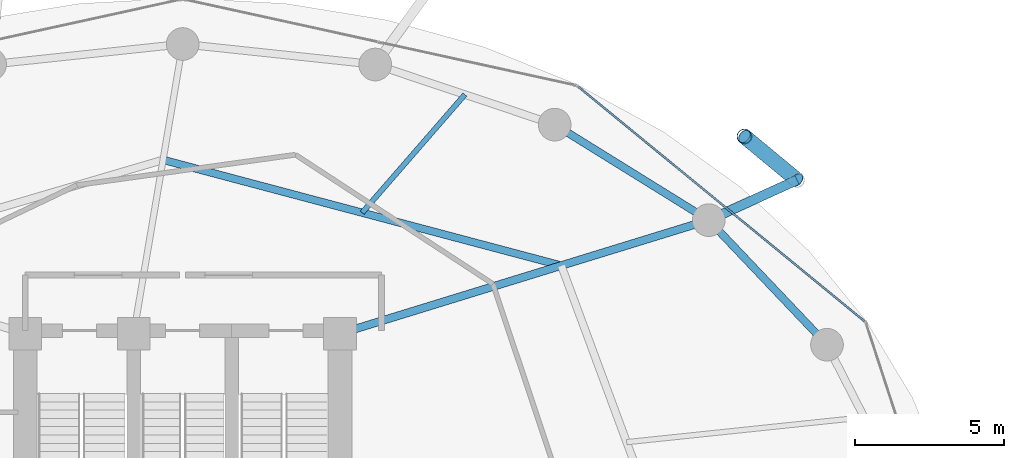
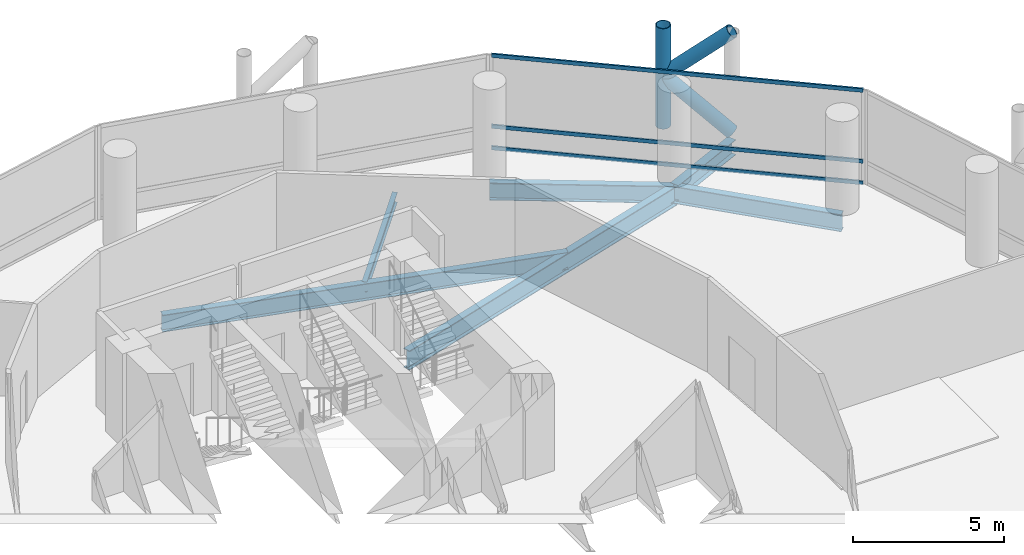
# One storey, part 17 of 24: 6 beams, 6 members, 1 element without a shape of its own.
"""IFC4 building model written with IfcOpenShell, lengths in metres."""

from ifc_helpers import new_model, si_unit, direction, frame, origin, origin_2d, place, context, subcontext, project, spatial, hollow_rectangle, hollow_circle, i_section, extrude, material, layer, layer_set, material_profile, profile_set, type_object, element, aggregate, save


model = new_model("IFC4")

# Units and contexts
model_context = context("Model", 3, precision=1e-05, world=origin(), true_north=direction((0.0, 1.0)))
body_context = subcontext(model_context, "Body", "Model", "MODEL_VIEW")
ifc_project = project(units=[si_unit("LENGTHUNIT", "METRE"), si_unit("AREAUNIT", "SQUARE_METRE"), si_unit("VOLUMEUNIT", "CUBIC_METRE"), si_unit("PLANEANGLEUNIT", "RADIAN"), si_unit("MASSUNIT", "GRAM", prefix="KILO")], contexts=[model_context])

# Site, building, storey
site_placement = place(None, origin())
site = spatial("IfcSite", under=ifc_project, at=site_placement, CompositionType="ELEMENT")
building_placement = place(site_placement, origin())
building = spatial("IfcBuilding", under=site, at=building_placement, Name="Nuhasar Tower", CompositionType="ELEMENT")
storey_placement = place(building_placement, frame((0.0, 0.0, 37.199951171875)))
storey = spatial("IfcBuildingStorey", under=building, at=storey_placement, Name="L08", CompositionType="ELEMENT", Elevation=37.199951171875)

# Beams
ifc_material_1 = material(Name="Steel S355", Category="steel")
ifc_material_profile_1 = material_profile(ifc_material_1, i_section(OverallWidth=0.25390625, OverallDepth=0.68408203125, WebThickness=0.012451171875, FlangeThickness=0.018798828125, at=origin_2d()), Name="W27X94")
ifc_profile_set_1 = profile_set([ifc_material_profile_1], Name="Steel S355")
beam_type_1 = type_object("IfcBeamType", Name="BM-INRING-W27X94", PredefinedType="BEAM", material=ifc_profile_set_1)
beam_1_placement = place(storey_placement, frame((51.748046875, 39.591064453125, -0.60205078125), z_axis=(-0.96653253005, 0.256544086574, 0.0), x_axis=(-0.256544086574, -0.96653253005, 0.0)))
element("IfcBeam", 1, at=beam_1_placement, inside=storey, type_object=beam_type_1, Name="L08 Inner Header Beam 05", PredefinedType="BEAM", context=body_context, shape_type="SweptSolid", body=[
    extrude(i_section(OverallWidth=0.25390625, OverallDepth=0.68408203125, WebThickness=0.012451171875, FlangeThickness=0.018798828125, at=origin_2d()), origin(), (0.0, 0.0, 1.0), 13.872314453125),
])
ifc_material_profile_2 = material_profile(ifc_material_1, i_section(OverallWidth=0.177978515625, OverallDepth=0.406005859375, WebThickness=0.0078125, FlangeThickness=0.0126953125, at=origin_2d()), Name="W16X40")
ifc_profile_set_2 = profile_set([ifc_material_profile_2], Name="Steel S355")
beam_type_2 = type_object("IfcBeamType", Name="BM-JST-W16X40", PredefinedType="JOIST", material=ifc_profile_set_2)
beam_2_placement = place(storey_placement, frame((45.0439453125, 41.3701171875, -0.462890625), z_axis=(0.656174129694, 0.754609509296, 0.0), x_axis=(-0.754609509296, 0.656174129694, 0.0)))
element("IfcBeam", 2, at=beam_2_placement, inside=storey, type_object=beam_type_2, Name="L08 Secondary Floor Joist 05", PredefinedType="JOIST", context=body_context, shape_type="SweptSolid", body=[
    extrude(i_section(OverallWidth=0.177978515625, OverallDepth=0.406005859375, WebThickness=0.0078125, FlangeThickness=0.0126953125, at=origin_2d()), origin(), (0.0, 0.0, 1.0), 5.27294921875),
])
ifc_material_profile_3 = material_profile(ifc_material_1, i_section(OverallWidth=0.26611328125, OverallDepth=0.779052734375, WebThickness=0.0166015625, FlangeThickness=0.030029296875, at=origin_2d()), Name="W30X148")
ifc_profile_set_3 = profile_set([ifc_material_profile_3], Name="Steel S355")
beam_type_3 = type_object("IfcBeamType", Name="BM-RAD-W30X148", PredefinedType="BEAM", material=ifc_profile_set_3)
beam_3_placement = place(storey_placement, frame((44.300048828125, 37.300048828125, -0.64990234375), z_axis=(0.955789576103, 0.294051502653, 0.0), x_axis=(-0.294051502653, 0.955789576103, 0.0)))
element("IfcBeam", 3, at=beam_3_placement, inside=storey, type_object=beam_type_3, Name="L08 Radial Floor Girder 05", PredefinedType="BEAM", context=body_context, shape_type="SweptSolid", body=[
    extrude(i_section(OverallWidth=0.26611328125, OverallDepth=0.779052734375, WebThickness=0.0166015625, FlangeThickness=0.030029296875, at=origin_2d()), origin(), (0.0, 0.0, 1.0), 12.987060546875),
])
ifc_material_profile_4 = material_profile(ifc_material_1, i_section(OverallWidth=0.256103515625, OverallDepth=0.693115234375, WebThickness=0.014404296875, FlangeThickness=0.023681640625, at=origin_2d()), Name="W27X114")
ifc_profile_set_4 = profile_set([ifc_material_profile_4], Name="Steel S355")
beam_type_4 = type_object("IfcBeamType", Name="BM-RING-W27X114", PredefinedType="SPANDREL", material=ifc_profile_set_4)
beam_4_placement = place(storey_placement, frame((60.694091796875, 36.925048828125, -0.60693359375), z_axis=(-0.688480893507, 0.725254478976, 0.0), x_axis=(-0.725254478976, -0.688480893507, 0.0)))
element("IfcBeam", 4, at=beam_4_placement, inside=storey, type_object=beam_type_4, Name="L08 Perimeter Ring Spandrel 03", PredefinedType="SPANDREL", context=body_context, shape_type="SweptSolid", body=[
    extrude(i_section(OverallWidth=0.256103515625, OverallDepth=0.693115234375, WebThickness=0.014404296875, FlangeThickness=0.023681640625, at=origin_2d()), origin(), (0.0, 0.0, 1.0), 5.782470703125),
])
beam_5_placement = place(storey_placement, frame((56.712890625, 41.118896484375, -0.60693359375), z_axis=(-0.849795216549, 0.527112976439, 0.0), x_axis=(-0.527112976439, -0.849795216549, 0.0)))
element("IfcBeam", 5, at=beam_5_placement, inside=storey, type_object=beam_type_4, Name="L08 Perimeter Ring Spandrel 04", PredefinedType="SPANDREL", context=body_context, shape_type="SweptSolid", body=[
    extrude(i_section(OverallWidth=0.256103515625, OverallDepth=0.693115234375, WebThickness=0.014404296875, FlangeThickness=0.023681640625, at=origin_2d()), origin(), (0.0, 0.0, 1.0), 6.10498046875),
])
ifc_material_profile_5 = material_profile(ifc_material_1, i_section(OverallWidth=0.323974609375, OverallDepth=0.611083984375, WebThickness=0.0126953125, FlangeThickness=0.01904296875, at=origin_2d()), Name="W24X104")
ifc_profile_set_5 = profile_set([ifc_material_profile_5], Name="Steel S355")
beam_type_5 = type_object("IfcBeamType", Name="BM-TIE-W24X104", PredefinedType="BEAM", material=ifc_profile_set_5)
beam_6_placement = place(storey_placement, frame((56.712890625, 41.118896484375, -0.56591796875), z_axis=(0.910243528587, 0.414073325227, 0.0), x_axis=(-0.414073325227, 0.910243528587, 0.0)))
element("IfcBeam", 6, at=beam_6_placement, inside=storey, type_object=beam_type_5, Name="L08 Exoskeleton Node Tie Beam 02", PredefinedType="BEAM", context=body_context, shape_type="SweptSolid", body=[
    extrude(i_section(OverallWidth=0.323974609375, OverallDepth=0.611083984375, WebThickness=0.0126953125, FlangeThickness=0.01904296875, at=origin_2d()), origin(), (0.0, 0.0, 1.0), 3.26513671875),
])

# Curtain wall, members
ifc_material_2 = material(Name="Aluminium 6063-T6", Category="aluminium")
ifc_layer = layer(ifc_material_2, 0.199951171875)
ifc_layer_set = layer_set([ifc_layer], Name="Aluminium 6063-T6")
curtain_wall_type = type_object("IfcCurtainWallType", Name="CW-Z1-OFF", PredefinedType="NOTDEFINED", material=ifc_layer_set)
curtain_wall_placement = place(storey_placement, origin())
curtain_wall = element("IfcCurtainWall", 7, at=curtain_wall_placement, inside=storey, type_object=curtain_wall_type, Name="L08 Unitised Curtain Wall 02", PredefinedType="NOTDEFINED")
ifc_material_profile_6 = material_profile(ifc_material_2, hollow_rectangle(XDim=0.06494140625, YDim=0.14990234375, WallThickness=0.00439453125, at=origin_2d()), Name="CWT-2")
ifc_profile_set_6 = profile_set([ifc_material_profile_6], Name="Aluminium 6063-T6")
member_type_1 = type_object("IfcMemberType", Name="CW-TRN-S2", PredefinedType="USERDEFINED", material=ifc_profile_set_6)
member_1_placement = place(storey_placement, frame((61.95166015625, 37.72119140625, 0.032470703125), z_axis=(-0.773540851599, 0.633746440548, 0.0), x_axis=(-0.633746440548, -0.773540851599, 0.0)))
member_1 = element("IfcMember", 8, at=member_1_placement, type_object=member_type_1, Name="CW-Z1 transom 1.1", ObjectType="TRANSOM", PredefinedType="USERDEFINED", context=body_context, shape_type="SweptSolid", body=[
    extrude(hollow_rectangle(XDim=0.06494140625, YDim=0.14990234375, WallThickness=0.00439453125, at=origin_2d()), origin(), (0.0, 0.0, 1.0), 12.43798828125),
])
member_2_placement = place(storey_placement, frame((61.95166015625, 37.72119140625, 0.900146484375), z_axis=(-0.773540851599, 0.633746440548, 0.0), x_axis=(-0.633746440548, -0.773540851599, 0.0)))
member_2 = element("IfcMember", 9, at=member_2_placement, type_object=member_type_1, Name="CW-Z1 transom 1.2", ObjectType="TRANSOM", PredefinedType="USERDEFINED", context=body_context, shape_type="SweptSolid", body=[
    extrude(hollow_rectangle(XDim=0.06494140625, YDim=0.14990234375, WallThickness=0.00439453125, at=origin_2d()), origin(), (0.0, 0.0, 1.0), 12.43798828125),
])
member_3_placement = place(storey_placement, frame((61.95166015625, 37.72119140625, 3.757568359375), z_axis=(-0.773540851599, 0.633746440548, 0.0), x_axis=(-0.633746440548, -0.773540851599, 0.0)))
member_3 = element("IfcMember", 10, at=member_3_placement, type_object=member_type_1, Name="CW-Z1 transom 1.3", ObjectType="TRANSOM", PredefinedType="USERDEFINED", context=body_context, shape_type="SweptSolid", body=[
    extrude(hollow_rectangle(XDim=0.06494140625, YDim=0.14990234375, WallThickness=0.00439453125, at=origin_2d()), origin(), (0.0, 0.0, 1.0), 12.43798828125),
])
aggregate(curtain_wall, [member_1, member_2, member_3])

# Members
ifc_material_3 = material(Name="Steel S460", Category="steel")
ifc_material_profile_7 = material_profile(ifc_material_3, hollow_circle(Radius=0.25390625, WallThickness=0.025390625, at=origin_2d()), Name="HSS508X25.4")
ifc_profile_set_7 = profile_set([ifc_material_profile_7], Name="Steel S460")
member_type_2 = type_object("IfcMemberType", Name="EXO-BRONZE-508", PredefinedType="BRACE", material=ifc_profile_set_7)
member_4_placement = place(storey_placement, frame((57.9130859375, 43.93896484375, 0.0), z_axis=(0.0, 0.0, 1.0), x_axis=(1.0, 0.0, 0.0)))
element("IfcMember", 11, at=member_4_placement, inside=storey, type_object=member_type_2, Name="L08 Exoskeleton Chord Column EC-02B", PredefinedType="BRACE", context=body_context, shape_type="SweptSolid", body=[
    extrude(hollow_circle(Radius=0.25390625, WallThickness=0.025390625, at=origin_2d()), origin(), (0.0, 0.0, 1.0), 4.050048828125),
])
member_5_placement = place(storey_placement, frame((59.68505859375, 42.470947265625, 0.0), z_axis=(-0.578071194894, 0.478911834514, 0.660664172175), x_axis=(-0.637969333506, -0.770061769929, 0.0)))
element("IfcMember", 12, at=member_5_placement, inside=storey, type_object=member_type_2, Name="L08 Bronze Diagrid Brace W1-02", PredefinedType="BRACE", context=body_context, shape_type="SweptSolid", body=[
    extrude(hollow_circle(Radius=0.25390625, WallThickness=0.025390625, at=origin_2d()), origin(), (0.0, 0.0, 1.0), 3.0654296875),
])
member_6_placement = place(storey_placement, frame((57.9130859375, 43.93896484375, 2.025146484375), z_axis=(0.578101613167, -0.478937034992, 0.660619286251), x_axis=(0.637969333506, 0.770061769929, 0.0)))
element("IfcMember", 13, at=member_6_placement, inside=storey, type_object=member_type_2, Name="L08 Bronze Diagrid Brace W2-02", PredefinedType="BRACE", context=body_context, shape_type="SweptSolid", body=[
    extrude(hollow_circle(Radius=0.25390625, WallThickness=0.025390625, at=origin_2d()), origin(), (0.0, 0.0, 1.0), 3.065185546875),
])

save(model, "model.ifc")
